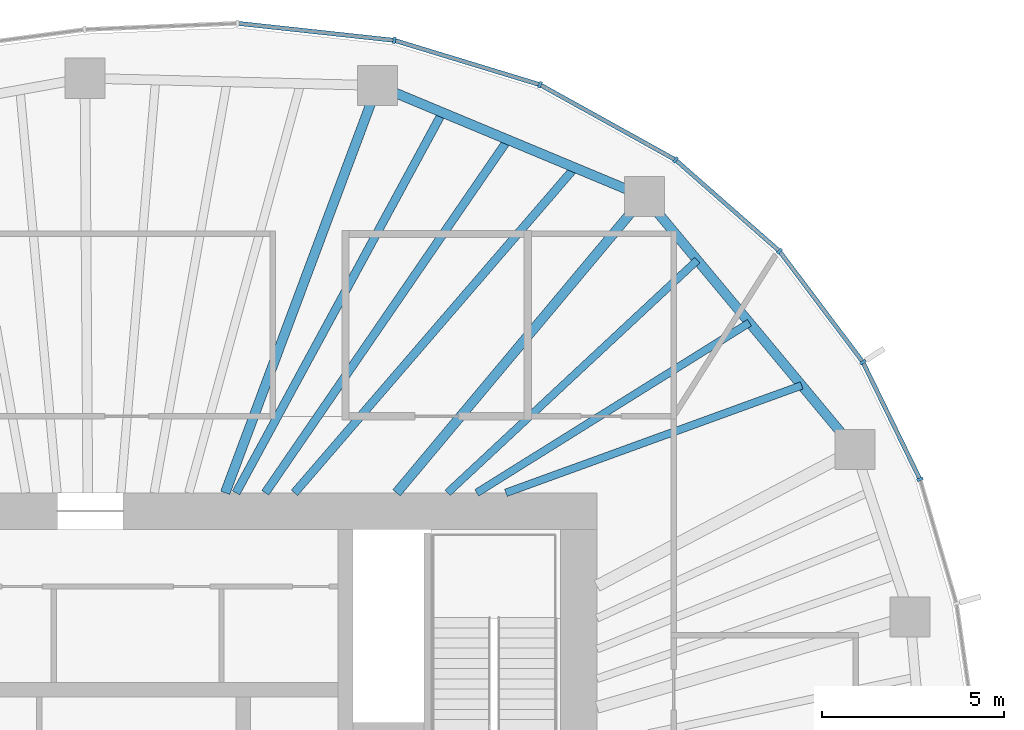
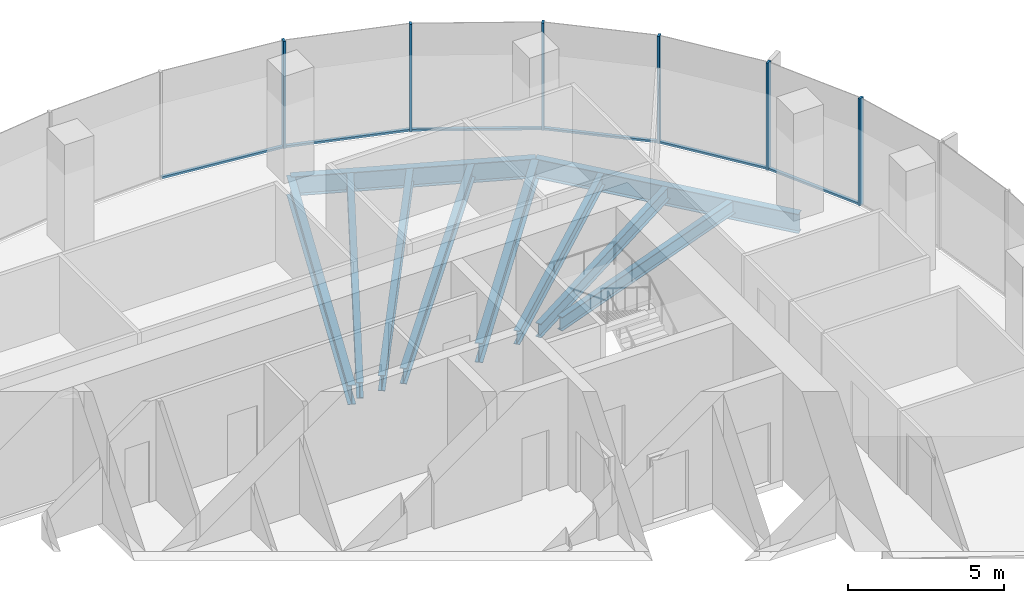
# One storey, part 6 of 12: 12 members, 10 beams, 4 elements without a shape of their own.
"""IFC4 building model written with IfcOpenShell, lengths in metres."""

from ifc_helpers import new_model, si_unit, direction, frame, origin, origin_2d, place, context, subcontext, project, spatial, rectangle, i_section, extrude, material, material_profile, profile_set, type_object, element, aggregate, save


model = new_model("IFC4")

# Units and contexts
model_context = context("Model", 3, precision=1e-05, world=origin(), true_north=direction((0.0, 1.0)))
body_context = subcontext(model_context, "Body", "Model", "MODEL_VIEW")
ifc_project = project(units=[si_unit("LENGTHUNIT", "METRE"), si_unit("AREAUNIT", "SQUARE_METRE"), si_unit("VOLUMEUNIT", "CUBIC_METRE"), si_unit("PLANEANGLEUNIT", "RADIAN"), si_unit("MASSUNIT", "GRAM", prefix="KILO")], contexts=[model_context])

# Site, building, storey
site_placement = place(None, origin())
site = spatial("IfcSite", under=ifc_project, at=site_placement, CompositionType="ELEMENT")
building_placement = place(site_placement, origin())
building = spatial("IfcBuilding", under=site, at=building_placement, Name="Ghaith Harvest Tower", CompositionType="ELEMENT")
storey_placement = place(building_placement, frame((0.0, 0.0, 300.60009765625)))
storey = spatial("IfcBuildingStorey", under=building, at=storey_placement, Name="L67", CompositionType="ELEMENT", Elevation=300.60009765625)

# Curtain wall, member
ifc_material_1 = material(Name="Black anodised aluminium and fritted glass", Category="aluminium")
curtain_wall_type = type_object("IfcCurtainWallType", Name="CW-T CURTAIN WALL", PredefinedType="NOTDEFINED", material=ifc_material_1)
curtain_wall_1_placement = place(storey_placement, origin())
curtain_wall_1 = element("IfcCurtainWall", 1, at=curtain_wall_1_placement, inside=storey, type_object=curtain_wall_type, Name="Curtain wall CW-T bay 02 L67", PredefinedType="NOTDEFINED")
ifc_material_2 = material(Name="Aluminium, black anodised", Category="aluminium")
ifc_material_profile_1 = material_profile(ifc_material_2, rectangle(XDim=0.080078125, YDim=0.179931640625, at=origin_2d()), Name="CW-T MULLION 80x180")
ifc_profile_set_1 = profile_set([ifc_material_profile_1], Name="Aluminium, black anodised")
member_type_1 = type_object("IfcMemberType", Name="CW-T MULLION 80x180", PredefinedType="MULLION", material=ifc_profile_set_1)
member_1_placement = place(storey_placement, frame((22.754150390625, 10.272216796875, 0.0), z_axis=(0.0, 0.0, 1.0), x_axis=(-0.361184273709, 0.932494461338, 0.0)))
member_1 = element("IfcMember", 2, at=member_1_placement, type_object=member_type_1, Name="CW-T mullion 2 bay 02 L67", PredefinedType="MULLION", context=body_context, shape_type="SweptSolid", body=[
    extrude(rectangle(XDim=0.080078125, YDim=0.179931640625, at=origin_2d()), origin(), (0.0, 0.0, 1.0), 4.199951171875),
])

# Curtain wall, members
curtain_wall_2_placement = place(storey_placement, origin())
curtain_wall_2 = element("IfcCurtainWall", 3, at=curtain_wall_2_placement, inside=storey, type_object=curtain_wall_type, Name="Curtain wall CW-T bay 03 L67", PredefinedType="NOTDEFINED")
member_2_placement = place(storey_placement, frame((21.18896484375, 13.48486328125, 0.0), z_axis=(0.0, 0.0, 1.0), x_axis=(-0.524482238522, 0.851421388899, 0.0)))
member_2 = element("IfcMember", 4, at=member_2_placement, type_object=member_type_1, Name="CW-T mullion 1 bay 03 L67", PredefinedType="MULLION", context=body_context, shape_type="SweptSolid", body=[
    extrude(rectangle(XDim=0.080078125, YDim=0.179931640625, at=origin_2d()), origin(), (0.0, 0.0, 1.0), 4.199951171875),
])
member_3_placement = place(storey_placement, frame((18.901123046875, 16.527099609375, 0.0), z_axis=(0.0, 0.0, 1.0), x_axis=(-0.679660897075, 0.733526458274, 0.0)))
member_3 = element("IfcMember", 5, at=member_3_placement, type_object=member_type_1, Name="CW-T mullion 2 bay 03 L67", PredefinedType="MULLION", context=body_context, shape_type="SweptSolid", body=[
    extrude(rectangle(XDim=0.080078125, YDim=0.179931640625, at=origin_2d()), origin(), (0.0, 0.0, 1.0), 4.199951171875),
])

curtain_wall_3_placement = place(storey_placement, origin())
curtain_wall_3 = element("IfcCurtainWall", 6, at=curtain_wall_3_placement, inside=storey, type_object=curtain_wall_type, Name="Curtain wall CW-T bay 04 L67", PredefinedType="NOTDEFINED")
member_4_placement = place(storey_placement, frame((16.04931640625, 19.031982421875, 0.0), z_axis=(0.0, 0.0, 1.0), x_axis=(-0.821112053873, 0.570767023385, 0.0)))
member_4 = element("IfcMember", 7, at=member_4_placement, type_object=member_type_1, Name="CW-T mullion 1 bay 04 L67", PredefinedType="MULLION", context=body_context, shape_type="SweptSolid", body=[
    extrude(rectangle(XDim=0.080078125, YDim=0.179931640625, at=origin_2d()), origin(), (0.0, 0.0, 1.0), 4.199951171875),
])
member_5_placement = place(storey_placement, frame((12.334228515625, 21.091796875, 0.0), z_axis=(0.0, 0.0, 1.0), x_axis=(-0.920319269246, 0.391168049123, 0.0)))
member_5 = element("IfcMember", 8, at=member_5_placement, type_object=member_type_1, Name="CW-T mullion 2 bay 04 L67", PredefinedType="MULLION", context=body_context, shape_type="SweptSolid", body=[
    extrude(rectangle(XDim=0.080078125, YDim=0.179931640625, at=origin_2d()), origin(), (0.0, 0.0, 1.0), 4.199951171875),
])

# Curtain wall, member
curtain_wall_4_placement = place(storey_placement, origin())
curtain_wall_4 = element("IfcCurtainWall", 9, at=curtain_wall_4_placement, inside=storey, type_object=curtain_wall_type, Name="Curtain wall CW-T bay 05 L67", PredefinedType="NOTDEFINED")
member_6_placement = place(storey_placement, frame((8.33984375, 22.308837890625, 0.0), z_axis=(0.0, 0.0, 1.0), x_axis=(-0.980000193436, 0.198996534809, 0.0)))
member_6 = element("IfcMember", 10, at=member_6_placement, type_object=member_type_1, Name="CW-T mullion 1 bay 05 L67", PredefinedType="MULLION", context=body_context, shape_type="SweptSolid", body=[
    extrude(rectangle(XDim=0.080078125, YDim=0.179931640625, at=origin_2d()), origin(), (0.0, 0.0, 1.0), 4.199951171875),
])

# Member
ifc_material_3 = material(Name="Aluminium, black anodised", Category="aluminium")
ifc_material_profile_2 = material_profile(ifc_material_3, rectangle(XDim=0.1201171875, YDim=0.080078125, at=origin_2d()), Name="CW-T TRANSOM 120x80")
ifc_profile_set_2 = profile_set([ifc_material_profile_2], Name="Aluminium, black anodised")
member_type_2 = type_object("IfcMemberType", Name="CW-T TRANSOM 120x80", PredefinedType="USERDEFINED", material=ifc_profile_set_2)
member_7_placement = place(storey_placement, frame((22.736572265625, 10.308349609375, 0.039794921875), z_axis=(-0.437965078712, 0.898991985408, 0.0), x_axis=(-0.898991985408, -0.437965078712, 0.0)))
member_7 = element("IfcMember", 11, at=member_7_placement, type_object=member_type_2, Name="CW-T transom 2 bay 02 L67", ObjectType="TRANSOM", PredefinedType="USERDEFINED", context=body_context, shape_type="SweptSolid", body=[
    extrude(rectangle(XDim=0.1201171875, YDim=0.080078125, at=origin_2d()), origin(), (0.0, 0.0, 1.0), 3.493408203125),
])

aggregate(curtain_wall_1, [member_1, member_7])

member_8_placement = place(storey_placement, frame((21.1650390625, 13.516845703125, 0.039794921875), z_axis=(-0.601079103045, 0.799189534392, 0.0), x_axis=(-0.799189534392, -0.601079103045, 0.0)))
member_8 = element("IfcMember", 12, at=member_8_placement, type_object=member_type_2, Name="CW-T transom 1 bay 03 L67", ObjectType="TRANSOM", PredefinedType="USERDEFINED", context=body_context, shape_type="SweptSolid", body=[
    extrude(rectangle(XDim=0.1201171875, YDim=0.080078125, at=origin_2d()), origin(), (0.0, 0.0, 1.0), 3.7265625),
])

member_9_placement = place(storey_placement, frame((18.87109375, 16.553466796875, 0.039794921875), z_axis=(-0.751325799984, 0.659931467865, 0.0), x_axis=(-0.659931467865, -0.751325799984, 0.0)))
member_9 = element("IfcMember", 13, at=member_9_placement, type_object=member_type_2, Name="CW-T transom 2 bay 03 L67", ObjectType="TRANSOM", PredefinedType="USERDEFINED", context=body_context, shape_type="SweptSolid", body=[
    extrude(rectangle(XDim=0.1201171875, YDim=0.080078125, at=origin_2d()), origin(), (0.0, 0.0, 1.0), 3.7158203125),
])

aggregate(curtain_wall_2, [member_2, member_8, member_3, member_9])

member_10_placement = place(storey_placement, frame((16.01416015625, 19.051513671875, 0.039794921875), z_axis=(-0.874552130553, 0.484931511603, 0.0), x_axis=(-0.484931511603, -0.874552130553, 0.0)))
member_10 = element("IfcMember", 14, at=member_10_placement, type_object=member_type_2, Name="CW-T transom 1 bay 04 L67", ObjectType="TRANSOM", PredefinedType="USERDEFINED", context=body_context, shape_type="SweptSolid", body=[
    extrude(rectangle(XDim=0.1201171875, YDim=0.080078125, at=origin_2d()), origin(), (0.0, 0.0, 1.0), 4.16748046875),
])

member_11_placement = place(storey_placement, frame((12.296142578125, 21.103515625, 0.039794921875), z_axis=(-0.956593713342, 0.291424891858, 0.0), x_axis=(-0.291424891858, -0.956593713342, 0.0)))
member_11 = element("IfcMember", 15, at=member_11_placement, type_object=member_type_2, Name="CW-T transom 2 bay 04 L67", ObjectType="TRANSOM", PredefinedType="USERDEFINED", context=body_context, shape_type="SweptSolid", body=[
    extrude(rectangle(XDim=0.1201171875, YDim=0.080078125, at=origin_2d()), origin(), (0.0, 0.0, 1.0), 4.095703125),
])

aggregate(curtain_wall_3, [member_4, member_10, member_5, member_11])

member_12_placement = place(storey_placement, frame((8.300048828125, 22.313232421875, 0.039794921875), z_axis=(-0.994144463069, 0.108059180768, 0.0), x_axis=(-0.108059180768, -0.994144463069, 0.0)))
member_12 = element("IfcMember", 16, at=member_12_placement, type_object=member_type_2, Name="CW-T transom 1 bay 05 L67", ObjectType="TRANSOM", PredefinedType="USERDEFINED", context=body_context, shape_type="SweptSolid", body=[
    extrude(rectangle(XDim=0.1201171875, YDim=0.080078125, at=origin_2d()), origin(), (0.0, 0.0, 1.0), 4.24755859375),
])

aggregate(curtain_wall_4, [member_6, member_12])

# Beams
ifc_material_4 = material(Name="Steel ASTM A992 Grade 50", Category="steel")
ifc_material_profile_3 = material_profile(ifc_material_4, i_section(OverallWidth=0.26611328125, OverallDepth=0.758056640625, WebThickness=0.013916015625, FlangeThickness=0.019287109375, at=origin_2d()), Name="W760X161")
ifc_profile_set_3 = profile_set([ifc_material_profile_3], Name="Steel ASTM A992 Grade 50")
beam_type_1 = type_object("IfcBeamType", Name="E760-161 W760X161", PredefinedType="SPANDREL", material=ifc_profile_set_3)
beam_1_placement = place(storey_placement, frame((20.97705078125, 11.087890625, -0.549072265625), z_axis=(-0.640173759088, 0.76823014662, 0.0), x_axis=(-0.76823014662, -0.640173759088, 0.0)))
element("IfcBeam", 17, at=beam_1_placement, inside=storey, type_object=beam_type_1, Name="Edge beam E03 L67", PredefinedType="SPANDREL", context=body_context, shape_type="SweptSolid", body=[
    extrude(i_section(OverallWidth=0.26611328125, OverallDepth=0.758056640625, WebThickness=0.013916015625, FlangeThickness=0.019287109375, at=origin_2d()), origin(), (0.0, 0.0, 1.0), 9.02734375),
])
beam_2_placement = place(storey_placement, frame((15.197998046875, 18.02294921875, -0.549072265625), z_axis=(-0.923119729219, 0.384512633766, 0.0), x_axis=(-0.384512633766, -0.923119729219, 0.0)))
element("IfcBeam", 18, at=beam_2_placement, inside=storey, type_object=beam_type_1, Name="Edge beam E04 L67", PredefinedType="SPANDREL", context=body_context, shape_type="SweptSolid", body=[
    extrude(i_section(OverallWidth=0.26611328125, OverallDepth=0.758056640625, WebThickness=0.013916015625, FlangeThickness=0.019287109375, at=origin_2d()), origin(), (0.0, 0.0, 1.0), 7.9296875),
])
ifc_material_5 = material(Name="Steel ASTM A992 Grade 50", Category="steel")
ifc_material_profile_4 = material_profile(ifc_material_5, i_section(OverallWidth=0.26611328125, OverallDepth=0.758056640625, WebThickness=0.013916015625, FlangeThickness=0.019287109375, at=origin_2d()), Name="W760X161")
ifc_profile_set_4 = profile_set([ifc_material_profile_4], Name="Steel ASTM A992 Grade 50")
beam_type_2 = type_object("IfcBeamType", Name="G760-161 W760X161", PredefinedType="BEAM", material=ifc_profile_set_4)
beam_3_placement = place(storey_placement, frame((8.39990234375, 9.89990234375, -0.549072265625), z_axis=(0.641792628883, 0.766878231215, 0.0), x_axis=(-0.766878231215, 0.641792628883, 0.0)))
element("IfcBeam", 19, at=beam_3_placement, inside=storey, type_object=beam_type_2, Name="Radial girder G04 L67", PredefinedType="BEAM", context=body_context, shape_type="SweptSolid", body=[
    extrude(i_section(OverallWidth=0.26611328125, OverallDepth=0.758056640625, WebThickness=0.013916015625, FlangeThickness=0.019287109375, at=origin_2d()), origin(), (0.0, 0.0, 1.0), 10.59228515625),
])
beam_4_placement = place(storey_placement, frame((3.700927734375, 9.89990234375, -0.549072265625), z_axis=(0.350201332531, 0.936674450753, 0.0), x_axis=(-0.936674450753, 0.350201332531, 0.0)))
element("IfcBeam", 20, at=beam_4_placement, inside=storey, type_object=beam_type_2, Name="Radial girder G05 L67", PredefinedType="BEAM", context=body_context, shape_type="SweptSolid", body=[
    extrude(i_section(OverallWidth=0.26611328125, OverallDepth=0.758056640625, WebThickness=0.013916015625, FlangeThickness=0.019287109375, at=origin_2d()), origin(), (0.0, 0.0, 1.0), 11.927490234375),
])
ifc_material_6 = material(Name="Steel ASTM A992 Grade 50", Category="steel")
ifc_material_profile_5 = material_profile(ifc_material_6, i_section(OverallWidth=0.2109375, OverallDepth=0.5390625, WebThickness=0.01171875, FlangeThickness=0.018798828125, at=origin_2d()), Name="W530X109")
ifc_profile_set_5 = profile_set([ifc_material_profile_5], Name="Steel ASTM A992 Grade 50")
beam_type_3 = type_object("IfcBeamType", Name="J530-109 W530X109", PredefinedType="JOIST", material=ifc_profile_set_5)
beam_5_placement = place(storey_placement, frame((11.39990234375, 9.89990234375, -0.439697265625), z_axis=(0.939925501564, 0.341379629605, 0.0), x_axis=(-0.341379629605, 0.939925501564, 0.0)))
element("IfcBeam", 21, at=beam_5_placement, inside=storey, type_object=beam_type_3, Name="Joist J03.1 L67", PredefinedType="JOIST", context=body_context, shape_type="SweptSolid", body=[
    extrude(i_section(OverallWidth=0.2109375, OverallDepth=0.5390625, WebThickness=0.01171875, FlangeThickness=0.018798828125, at=origin_2d()), origin(), (0.0, 0.0, 1.0), 8.630615234375),
])
beam_6_placement = place(storey_placement, frame((10.60009765625, 9.89990234375, -0.439697265625), z_axis=(0.84837619421, 0.52939383553, 0.0), x_axis=(-0.52939383553, 0.84837619421, 0.0)))
element("IfcBeam", 22, at=beam_6_placement, inside=storey, type_object=beam_type_3, Name="Joist J03.2 L67", PredefinedType="JOIST", context=body_context, shape_type="SweptSolid", body=[
    extrude(i_section(OverallWidth=0.2109375, OverallDepth=0.5390625, WebThickness=0.01171875, FlangeThickness=0.018798828125, at=origin_2d()), origin(), (0.0, 0.0, 1.0), 8.814697265625),
])
beam_7_placement = place(storey_placement, frame((9.800048828125, 9.89990234375, -0.439697265625), z_axis=(0.73164904944, 0.681681500742, 0.0), x_axis=(-0.681681500742, 0.73164904944, 0.0)))
element("IfcBeam", 23, at=beam_7_placement, inside=storey, type_object=beam_type_3, Name="Joist J03.3 L67", PredefinedType="JOIST", context=body_context, shape_type="SweptSolid", body=[
    extrude(i_section(OverallWidth=0.2109375, OverallDepth=0.5390625, WebThickness=0.01171875, FlangeThickness=0.018798828125, at=origin_2d()), origin(), (0.0, 0.0, 1.0), 9.361572265625),
])
ifc_material_7 = material(Name="Steel ASTM A992 Grade 50", Category="steel")
ifc_material_profile_6 = material_profile(ifc_material_7, i_section(OverallWidth=0.22998046875, OverallDepth=0.616943359375, WebThickness=0.01318359375, FlangeThickness=0.022216796875, at=origin_2d()), Name="W610X140")
ifc_profile_set_6 = profile_set([ifc_material_profile_6], Name="Steel ASTM A992 Grade 50")
beam_type_4 = type_object("IfcBeamType", Name="J610-140 W610X140", PredefinedType="JOIST", material=ifc_profile_set_6)
beam_8_placement = place(storey_placement, frame((5.60009765625, 9.89990234375, -0.478515625), z_axis=(0.652992938501, 0.757363995888, 0.0), x_axis=(-0.757363995888, 0.652992938501, 0.0)))
element("IfcBeam", 24, at=beam_8_placement, inside=storey, type_object=beam_type_4, Name="Joist J04.1 L67", PredefinedType="JOIST", context=body_context, shape_type="SweptSolid", body=[
    extrude(i_section(OverallWidth=0.22998046875, OverallDepth=0.616943359375, WebThickness=0.01318359375, FlangeThickness=0.022216796875, at=origin_2d()), origin(), (0.0, 0.0, 1.0), 11.775390625),
])
beam_9_placement = place(storey_placement, frame((4.800048828125, 9.89990234375, -0.478515625), z_axis=(0.566228035119, 0.824248634967, 0.0), x_axis=(-0.824248634967, 0.566228035119, 0.0)))
element("IfcBeam", 25, at=beam_9_placement, inside=storey, type_object=beam_type_4, Name="Joist J04.2 L67", PredefinedType="JOIST", context=body_context, shape_type="SweptSolid", body=[
    extrude(i_section(OverallWidth=0.22998046875, OverallDepth=0.616943359375, WebThickness=0.01318359375, FlangeThickness=0.022216796875, at=origin_2d()), origin(), (0.0, 0.0, 1.0), 11.748046875),
])
beam_10_placement = place(storey_placement, frame((4.0, 9.89990234375, -0.478515625), z_axis=(0.476764926531, 0.879030832696, 0.0), x_axis=(-0.879030832696, 0.476764926531, 0.0)))
element("IfcBeam", 26, at=beam_10_placement, inside=storey, type_object=beam_type_4, Name="Joist J04.3 L67", PredefinedType="JOIST", context=body_context, shape_type="SweptSolid", body=[
    extrude(i_section(OverallWidth=0.22998046875, OverallDepth=0.616943359375, WebThickness=0.01318359375, FlangeThickness=0.022216796875, at=origin_2d()), origin(), (0.0, 0.0, 1.0), 11.866455078125),
])

save(model, "model.ifc")
